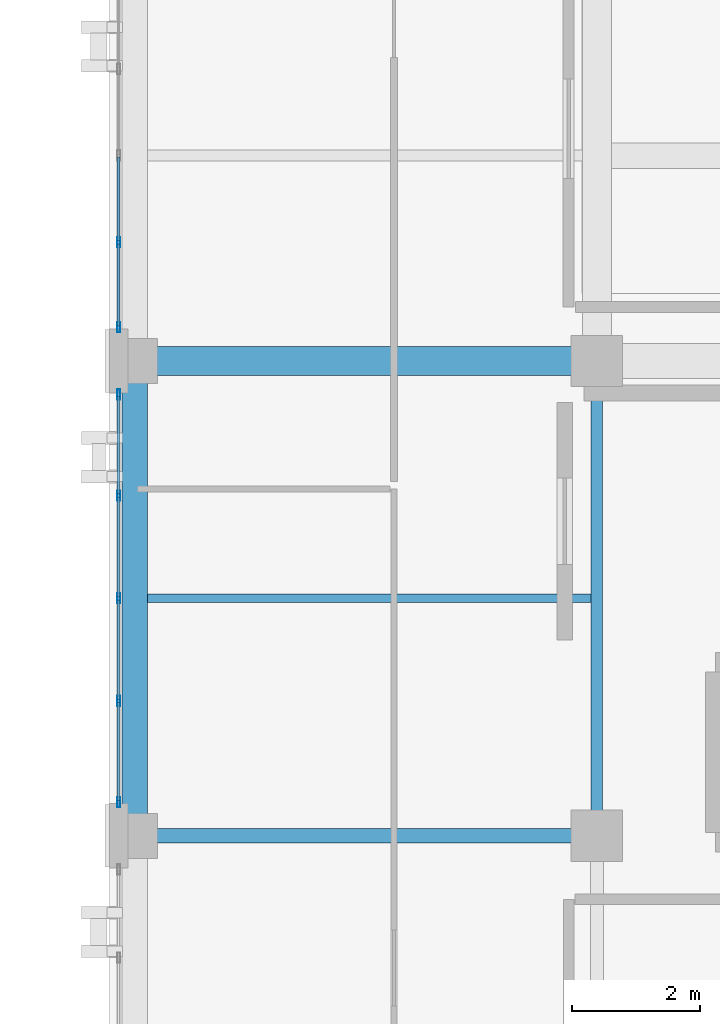
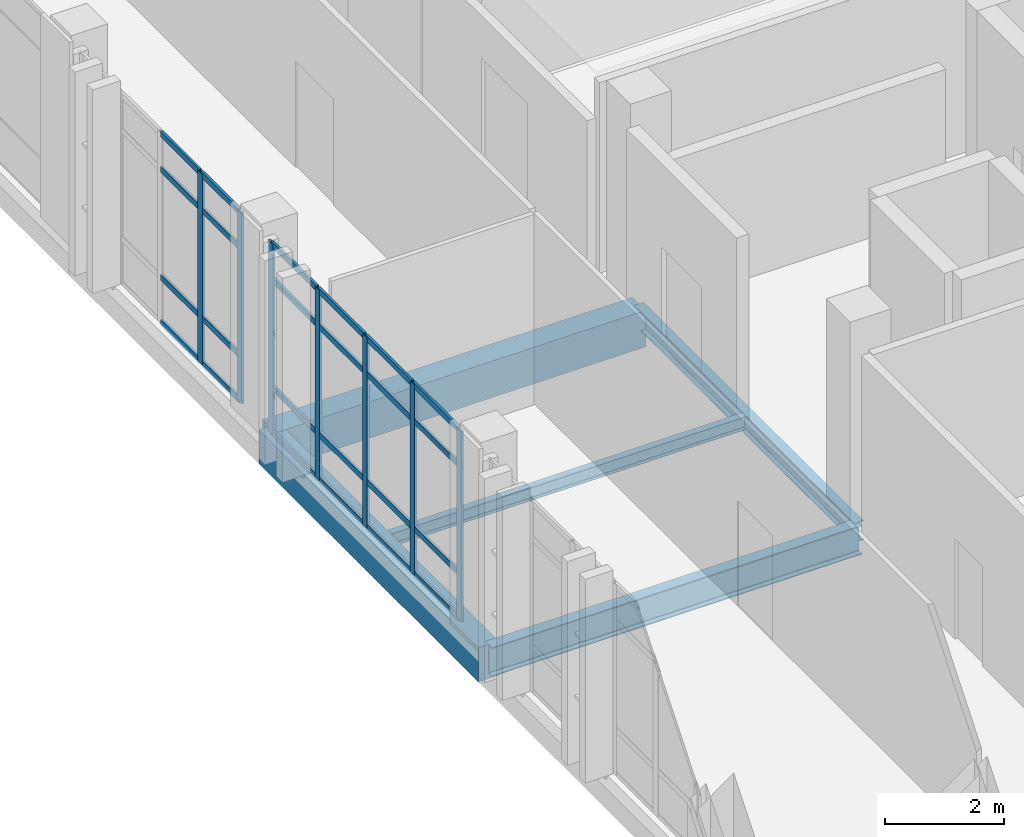
# One storey, part 98 of 165: 31 members, 5 beams, 2 elements without a shape of their own.
"""IFC4 building model written with IfcOpenShell, lengths in metres."""

import ifcopenshell
import ifcopenshell.guid

model = None  # the IFC model being written
_history = None  # IfcOwnerHistory: only IFC2X3 demands one
_inside = {}  # id of a spatial element -> (the spatial element, [elements in it])
_under = {}  # id of a project, library or spatial element -> (it, [spatial elements below it])
_declared = {}  # id of a project -> (the project, [libraries it declares])
_typed = {}  # id of a type object -> (the type object, [elements of that type])
_made_of = {}  # id of a material, layer set ... -> (it, [elements and type objects made of it])


def new_model(schema):
    """Start an empty IFC model of exactly this schema.

    Asked for "IFC4X3", IfcOpenShell would pick the latest addendum, in which some entities
    have other attributes; the version numbers below select the first issue.
    IFC2X3 requires an IfcOwnerHistory on every rooted entity: one is made here for all.
    """
    global model, _history
    if schema == "IFC4X3":
        model = ifcopenshell.file(schema_version=(4, 3, 0, 0))
    else:
        model = ifcopenshell.file(schema=schema)
    _inside.clear()
    _under.clear()
    _declared.clear()
    _typed.clear()
    _made_of.clear()
    _history = None
    if model.schema == "IFC2X3":
        org = make("IfcOrganization", Name="unknown")
        user = make(
            "IfcPersonAndOrganization",
            ThePerson=make("IfcPerson", FamilyName="unknown"),
            TheOrganization=org,
        )
        app = make(
            "IfcApplication",
            ApplicationDeveloper=org,
            Version="unknown",
            ApplicationFullName="unknown",
            ApplicationIdentifier="unknown",
        )
        _history = make(
            "IfcOwnerHistory",
            OwningUser=user,
            OwningApplication=app,
            ChangeAction="ADDED",
            CreationDate=0,
        )
    return model


def make(cls, **values):
    """One entity of the class cls with the attributes given. An attribute that is None is left unset."""
    return model.create_entity(
        cls, **{name: value for name, value in values.items() if value is not None}
    )


def rooted(cls, **values):
    """An entity with a GlobalId (a new one), such as an element, a storey or a relation."""
    return make(cls, GlobalId=ifcopenshell.guid.new(), OwnerHistory=_history, **values)


def si_unit(unit_type, name, prefix=None):
    """IfcSIUnit, for example si_unit("LENGTHUNIT", "METRE", prefix="MILLI")."""
    return make("IfcSIUnit", UnitType=unit_type, Prefix=prefix, Name=name)


def assignment(units):
    """IfcUnitAssignment: the units of a project."""
    return None if units is None else make("IfcUnitAssignment", Units=units)


def point(xyz):
    """IfcCartesianPoint."""
    return None if xyz is None else make("IfcCartesianPoint", Coordinates=xyz)


def direction(xyz):
    """IfcDirection."""
    return None if xyz is None else make("IfcDirection", DirectionRatios=xyz)


def frame(location, z_axis=None, x_axis=None):
    """IfcAxis2Placement3D, a coordinate frame: its origin and axes. An axis left out is left unset."""
    return make(
        "IfcAxis2Placement3D",
        Location=point(location),
        Axis=direction(z_axis),
        RefDirection=direction(x_axis),
    )


def frame_2d(location, x_axis=None):
    """IfcAxis2Placement2D, a coordinate frame in the plane: its origin and x axis."""
    return make(
        "IfcAxis2Placement2D", Location=point(location), RefDirection=direction(x_axis)
    )


def origin():
    """The frame at (0, 0, 0) with its axes left unset."""
    return frame((0.0, 0.0, 0.0))


def origin_2d():
    """The frame at (0, 0) in the plane with its x axis left unset."""
    return frame_2d((0.0, 0.0))


def place(relative_to, where):
    """IfcLocalPlacement: puts the frame where relative to a parent placement (None: the world)."""
    return make(
        "IfcLocalPlacement", PlacementRelTo=relative_to, RelativePlacement=where
    )


def context(
    kind, dimensions, precision=None, world=None, true_north=None, identifier=None
):
    """IfcGeometricRepresentationContext, for example the 3D "Model" context."""
    return make(
        "IfcGeometricRepresentationContext",
        ContextIdentifier=identifier,
        ContextType=kind,
        CoordinateSpaceDimension=dimensions,
        Precision=precision,
        WorldCoordinateSystem=world,
        TrueNorth=true_north,
    )


def subcontext(parent, identifier, kind, view, scale=None):
    """IfcGeometricRepresentationSubContext, for example "Body" below "Model"."""
    return make(
        "IfcGeometricRepresentationSubContext",
        ContextIdentifier=identifier,
        ContextType=kind,
        ParentContext=parent,
        TargetScale=scale,
        TargetView=view,
    )


def project(units=None, contexts=None):
    """IfcProject with its units and contexts."""
    return rooted(
        "IfcProject",
        Name="project",
        RepresentationContexts=contexts,
        UnitsInContext=assignment(units),
    )


def spatial(cls, under=None, at=None, **own):
    """A site, building, storey or space (cls), placed at a placement, below another one or the project."""
    s = rooted(cls, ObjectPlacement=at, **own)
    if under is not None:
        _under.setdefault(under.id(), (under, []))[1].append(s)
    return s


def profile(cls, at=None, kind="AREA", **sizes):
    """A parametric profile (cls). Its sizes go by their IFC names, for example OverallWidth=200.0."""
    return make(cls, ProfileType=kind, Position=at, **sizes)


def rectangle(**sizes):
    """IfcRectangleProfileDef."""
    return profile("IfcRectangleProfileDef", **sizes)


def hollow_rectangle(**sizes):
    """IfcRectangleHollowProfileDef."""
    return profile("IfcRectangleHollowProfileDef", **sizes)


def i_section(**sizes):
    """IfcIShapeProfileDef."""
    return profile("IfcIShapeProfileDef", **sizes)


def extrude(swept, where, along, depth):
    """IfcExtrudedAreaSolid: the profile swept, set in the frame where, extruded along a direction by depth."""
    return make(
        "IfcExtrudedAreaSolid",
        SweptArea=swept,
        Position=where,
        ExtrudedDirection=direction(along),
        Depth=depth,
    )


def shape(context_of_items, identifier, shape_type, items):
    """IfcShapeRepresentation: the items that make up one representation, for example the "Body"."""
    return make(
        "IfcShapeRepresentation",
        ContextOfItems=context_of_items,
        RepresentationIdentifier=identifier,
        RepresentationType=shape_type,
        Items=items,
    )


def material(Name=None, Category=None):
    """IfcMaterial."""
    return make("IfcMaterial", Name=Name, Category=Category)


def layer(
    of_material, thickness, ventilated=None, Name=None, Category=None, Priority=None
):
    """IfcMaterialLayer: one layer of a wall or slab, of a material (None: an air gap)."""
    return make(
        "IfcMaterialLayer",
        Material=of_material,
        LayerThickness=thickness,
        IsVentilated=ventilated,
        Name=Name,
        Category=Category,
        Priority=Priority,
    )


def layer_set(layers, Name=None):
    """IfcMaterialLayerSet."""
    return make("IfcMaterialLayerSet", MaterialLayers=layers, LayerSetName=Name)


def material_profile(
    of_material, cross_section, Name=None, Category=None, Priority=None
):
    """IfcMaterialProfile: a cross section and its material."""
    return make(
        "IfcMaterialProfile",
        Name=Name,
        Material=of_material,
        Profile=cross_section,
        Priority=Priority,
        Category=Category,
    )


def profile_set(profiles, Name=None, composite=None):
    """IfcMaterialProfileSet."""
    return make(
        "IfcMaterialProfileSet",
        Name=Name,
        MaterialProfiles=profiles,
        CompositeProfile=composite,
    )


def made_of(thing, what):
    """Note that an element or type object is made of a material, layer set ...; save() writes the relation."""
    if what is not None:
        _made_of.setdefault(what.id(), (what, []))[1].append(thing)
    return thing


def type_object(cls, material=None, **own):
    """A type object (cls), such as IfcWallType, which elements share."""
    return made_of(rooted(cls, **own), material)


def element(
    cls,
    number,
    at=None,
    inside=None,
    cuts=None,
    type_object=None,
    material=None,
    context=None,
    identifier="Body",
    shape_type=None,
    held_by="IfcProductDefinitionShape",
    body=None,
    shapes=None,
    **own,
):
    """One element of the class cls, such as IfcWall. Its Tag is "e" and its number.

    at: its placement. inside: the storey or other place that contains it. cuts: it is an
    opening in that element (IfcRelVoidsElement). A single representation is given by context,
    identifier, shape_type and body (its items); several are given by shapes. held_by: the class
    of the entity that holds the representations. save() writes the other relations.
    """
    e = rooted(cls, Tag="e%d" % number, ObjectPlacement=at, **own)
    if body is not None:
        shapes = [shape(context, identifier, shape_type, body)]
    if shapes is not None:
        e.Representation = make(held_by, Representations=shapes)
    if inside is not None:
        _inside.setdefault(inside.id(), (inside, []))[1].append(e)
    if cuts is not None:
        rooted(
            "IfcRelVoidsElement", RelatingBuildingElement=cuts, RelatedOpeningElement=e
        )
    if type_object is not None:
        _typed.setdefault(type_object.id(), (type_object, []))[1].append(e)
    return made_of(e, material)


def aggregate(whole, parts):
    """IfcRelAggregates: a whole, such as a stair, and the parts it consists of."""
    return rooted("IfcRelAggregates", RelatingObject=whole, RelatedObjects=parts)


def save(model, path):
    """Write the relations noted so far, then the file.

    IfcRelAggregates (storeys below a building ...), IfcRelContainedInSpatialStructure (elements
    in a storey), IfcRelDefinesByType, IfcRelAssociatesMaterial and IfcRelDeclares: one each for
    every whole, place, type object, material and project.
    """
    for whole, parts in _under.values():
        aggregate(whole, parts)
    for where, things in _inside.values():
        rooted(
            "IfcRelContainedInSpatialStructure",
            RelatedElements=things,
            RelatingStructure=where,
        )
    for kind, things in _typed.values():
        rooted("IfcRelDefinesByType", RelatedObjects=things, RelatingType=kind)
    for what, things in _made_of.values():
        rooted("IfcRelAssociatesMaterial", RelatedObjects=things, RelatingMaterial=what)
    for by, libraries in _declared.values():
        rooted("IfcRelDeclares", RelatingContext=by, RelatedDefinitions=libraries)
    model.write(path)


model = new_model("IFC4")

# Units and contexts
model_context = context("Model", 3, precision=1e-05, world=origin(), true_north=direction((0.0, 1.0)))
body_context = subcontext(model_context, "Body", "Model", "MODEL_VIEW")
ifc_project = project(units=[si_unit("LENGTHUNIT", "METRE"), si_unit("AREAUNIT", "SQUARE_METRE"), si_unit("VOLUMEUNIT", "CUBIC_METRE"), si_unit("PLANEANGLEUNIT", "RADIAN"), si_unit("MASSUNIT", "GRAM", prefix="KILO")], contexts=[model_context])

# Site, building, storey
site_placement = place(None, origin())
site = spatial("IfcSite", under=ifc_project, at=site_placement, CompositionType="ELEMENT")
building_placement = place(site_placement, origin())
building = spatial("IfcBuilding", under=site, at=building_placement, Name="Qalavern Law Courts", CompositionType="ELEMENT")
storey_placement = place(building_placement, frame((0.0, 0.0, 14.39990234375)))
storey = spatial("IfcBuildingStorey", under=building, at=storey_placement, Name="L03", CompositionType="ELEMENT", Elevation=14.39990234375)

# Curtain wall, members
ifc_material_1 = material(Name="Anodised aluminium and insulated glazing", Category="aluminium")
ifc_layer = layer(ifc_material_1, 0.172119140625)
ifc_layer_set = layer_set([ifc_layer], Name="Anodised aluminium and insulated glazing")
curtain_wall_type = type_object("IfcCurtainWallType", Name="ENV-CW-COURT", PredefinedType="USERDEFINED", material=ifc_layer_set)
curtain_wall_1_placement = place(storey_placement, origin())
curtain_wall_1 = element("IfcCurtainWall", 1, at=curtain_wall_1_placement, inside=storey, type_object=curtain_wall_type, Name="V4 unitised curtain wall L03 west 2", ObjectType="UNITISED CURTAIN WALL", PredefinedType="USERDEFINED")
ifc_material_2 = material(Name="Anodised aluminium", Category="aluminium")
ifc_material_profile_1 = material_profile(ifc_material_2, hollow_rectangle(XDim=0.048095703125, YDim=0.159912109375, WallThickness=0.00390625, at=origin_2d()), Name="ALU MULLION 48x160")
ifc_profile_set_1 = profile_set([ifc_material_profile_1], Name="Anodised aluminium")
member_type_1 = type_object("IfcMemberType", Name="ENV-CWM-48x160", PredefinedType="MULLION", material=ifc_profile_set_1)
member_1_placement = place(storey_placement, frame((84.347412109375, 74.64990234375, 0.0), z_axis=(0.0, 0.0, 1.0), x_axis=(1.0, 0.0, 0.0)))
member_1 = element("IfcMember", 2, at=member_1_placement, type_object=member_type_1, Name="CW-03 mullion 4", PredefinedType="MULLION", context=body_context, shape_type="SweptSolid", body=[
    extrude(hollow_rectangle(XDim=0.048095703125, YDim=0.159912109375, WallThickness=0.00390625, at=origin_2d()), origin(), (0.0, 0.0, 1.0), 3.920166015625),
])
member_2_placement = place(storey_placement, frame((84.347412109375, 73.323974609375, 0.0), z_axis=(0.0, 0.0, 1.0), x_axis=(1.0, 0.0, 0.0)))
member_2 = element("IfcMember", 3, at=member_2_placement, type_object=member_type_1, Name="CW-03 mullion 5", PredefinedType="MULLION", context=body_context, shape_type="SweptSolid", body=[
    extrude(hollow_rectangle(XDim=0.048095703125, YDim=0.159912109375, WallThickness=0.00390625, at=origin_2d()), origin(), (0.0, 0.0, 1.0), 3.920166015625),
])

curtain_wall_2_placement = place(storey_placement, origin())
curtain_wall_2 = element("IfcCurtainWall", 4, at=curtain_wall_2_placement, inside=storey, type_object=curtain_wall_type, Name="V4 unitised curtain wall L03 west 3", ObjectType="UNITISED CURTAIN WALL", PredefinedType="USERDEFINED")
member_3_placement = place(storey_placement, frame((84.347412109375, 72.27587890625, 0.0), z_axis=(0.0, 0.0, 1.0), x_axis=(1.0, 0.0, 0.0)))
member_3 = element("IfcMember", 5, at=member_3_placement, type_object=member_type_1, Name="CW-03 mullion 1", PredefinedType="MULLION", context=body_context, shape_type="SweptSolid", body=[
    extrude(hollow_rectangle(XDim=0.048095703125, YDim=0.159912109375, WallThickness=0.00390625, at=origin_2d()), origin(), (0.0, 0.0, 1.0), 3.920166015625),
])
member_4_placement = place(storey_placement, frame((84.347412109375, 70.699951171875, 0.0), z_axis=(0.0, 0.0, 1.0), x_axis=(1.0, 0.0, 0.0)))
member_4 = element("IfcMember", 6, at=member_4_placement, type_object=member_type_1, Name="CW-03 mullion 2", PredefinedType="MULLION", context=body_context, shape_type="SweptSolid", body=[
    extrude(hollow_rectangle(XDim=0.048095703125, YDim=0.159912109375, WallThickness=0.00390625, at=origin_2d()), origin(), (0.0, 0.0, 1.0), 3.920166015625),
])
member_5_placement = place(storey_placement, frame((84.347412109375, 69.10009765625, 0.0), z_axis=(0.0, 0.0, 1.0), x_axis=(1.0, 0.0, 0.0)))
member_5 = element("IfcMember", 7, at=member_5_placement, type_object=member_type_1, Name="CW-03 mullion 3", PredefinedType="MULLION", context=body_context, shape_type="SweptSolid", body=[
    extrude(hollow_rectangle(XDim=0.048095703125, YDim=0.159912109375, WallThickness=0.00390625, at=origin_2d()), origin(), (0.0, 0.0, 1.0), 3.920166015625),
])
member_6_placement = place(storey_placement, frame((84.347412109375, 67.5, 0.0), z_axis=(0.0, 0.0, 1.0), x_axis=(1.0, 0.0, 0.0)))
member_6 = element("IfcMember", 8, at=member_6_placement, type_object=member_type_1, Name="CW-03 mullion 4", PredefinedType="MULLION", context=body_context, shape_type="SweptSolid", body=[
    extrude(hollow_rectangle(XDim=0.048095703125, YDim=0.159912109375, WallThickness=0.00390625, at=origin_2d()), origin(), (0.0, 0.0, 1.0), 3.920166015625),
])
member_7_placement = place(storey_placement, frame((84.347412109375, 65.924072265625, 0.0), z_axis=(0.0, 0.0, 1.0), x_axis=(1.0, 0.0, 0.0)))
member_7 = element("IfcMember", 9, at=member_7_placement, type_object=member_type_1, Name="CW-03 mullion 5", PredefinedType="MULLION", context=body_context, shape_type="SweptSolid", body=[
    extrude(hollow_rectangle(XDim=0.048095703125, YDim=0.159912109375, WallThickness=0.00390625, at=origin_2d()), origin(), (0.0, 0.0, 1.0), 3.920166015625),
])

# Member
ifc_material_profile_2 = material_profile(ifc_material_2, hollow_rectangle(XDim=0.048095703125, YDim=0.1201171875, WallThickness=0.00390625, at=origin_2d()), Name="ALU TRANSOM 48x120")
ifc_profile_set_2 = profile_set([ifc_material_profile_2], Name="Anodised aluminium")
member_type_2 = type_object("IfcMemberType", Name="ENV-CWT-48x120", PredefinedType="USERDEFINED", material=ifc_profile_set_2)
member_8_placement = place(storey_placement, frame((84.347412109375, 75.97607421875, 0.024169921875), z_axis=(0.0, -1.0, 0.0), x_axis=(1.0, 0.0, 0.0)))
member_8 = element("IfcMember", 10, at=member_8_placement, type_object=member_type_2, Name="CW-03 transom 3.1", ObjectType="TRANSOM", PredefinedType="USERDEFINED", context=body_context, shape_type="SweptSolid", body=[
    extrude(hollow_rectangle(XDim=0.048095703125, YDim=0.1201171875, WallThickness=0.00390625, at=origin_2d()), origin(), (0.0, 0.0, 1.0), 1.302001953125),
])

member_9_placement = place(storey_placement, frame((84.347412109375, 75.97607421875, 0.9501953125), z_axis=(0.0, -1.0, 0.0), x_axis=(1.0, 0.0, 0.0)))
member_9 = element("IfcMember", 11, at=member_9_placement, type_object=member_type_2, Name="CW-03 transom 3.2", ObjectType="TRANSOM", PredefinedType="USERDEFINED", context=body_context, shape_type="SweptSolid", body=[
    extrude(hollow_rectangle(XDim=0.048095703125, YDim=0.1201171875, WallThickness=0.00390625, at=origin_2d()), origin(), (0.0, 0.0, 1.0), 1.302001953125),
])

member_10_placement = place(storey_placement, frame((84.347412109375, 75.97607421875, 3.170166015625), z_axis=(0.0, -1.0, 0.0), x_axis=(1.0, 0.0, 0.0)))
member_10 = element("IfcMember", 12, at=member_10_placement, type_object=member_type_2, Name="CW-03 transom 3.3", ObjectType="TRANSOM", PredefinedType="USERDEFINED", context=body_context, shape_type="SweptSolid", body=[
    extrude(hollow_rectangle(XDim=0.048095703125, YDim=0.1201171875, WallThickness=0.00390625, at=origin_2d()), origin(), (0.0, 0.0, 1.0), 1.302001953125),
])

member_11_placement = place(storey_placement, frame((84.347412109375, 75.97607421875, 3.89599609375), z_axis=(0.0, -1.0, 0.0), x_axis=(1.0, 0.0, 0.0)))
member_11 = element("IfcMember", 13, at=member_11_placement, type_object=member_type_2, Name="CW-03 transom 3.4", ObjectType="TRANSOM", PredefinedType="USERDEFINED", context=body_context, shape_type="SweptSolid", body=[
    extrude(hollow_rectangle(XDim=0.048095703125, YDim=0.1201171875, WallThickness=0.00390625, at=origin_2d()), origin(), (0.0, 0.0, 1.0), 1.302001953125),
])

member_12_placement = place(storey_placement, frame((84.347412109375, 74.6259765625, 0.024169921875), z_axis=(0.0, -1.0, 0.0), x_axis=(1.0, 0.0, 0.0)))
member_12 = element("IfcMember", 14, at=member_12_placement, type_object=member_type_2, Name="CW-03 transom 4.1", ObjectType="TRANSOM", PredefinedType="USERDEFINED", context=body_context, shape_type="SweptSolid", body=[
    extrude(hollow_rectangle(XDim=0.048095703125, YDim=0.1201171875, WallThickness=0.00390625, at=origin_2d()), origin(), (0.0, 0.0, 1.0), 1.278076171875),
])

member_13_placement = place(storey_placement, frame((84.347412109375, 74.6259765625, 0.9501953125), z_axis=(0.0, -1.0, 0.0), x_axis=(1.0, 0.0, 0.0)))
member_13 = element("IfcMember", 15, at=member_13_placement, type_object=member_type_2, Name="CW-03 transom 4.2", ObjectType="TRANSOM", PredefinedType="USERDEFINED", context=body_context, shape_type="SweptSolid", body=[
    extrude(hollow_rectangle(XDim=0.048095703125, YDim=0.1201171875, WallThickness=0.00390625, at=origin_2d()), origin(), (0.0, 0.0, 1.0), 1.278076171875),
])

member_14_placement = place(storey_placement, frame((84.347412109375, 74.6259765625, 3.170166015625), z_axis=(0.0, -1.0, 0.0), x_axis=(1.0, 0.0, 0.0)))
member_14 = element("IfcMember", 16, at=member_14_placement, type_object=member_type_2, Name="CW-03 transom 4.3", ObjectType="TRANSOM", PredefinedType="USERDEFINED", context=body_context, shape_type="SweptSolid", body=[
    extrude(hollow_rectangle(XDim=0.048095703125, YDim=0.1201171875, WallThickness=0.00390625, at=origin_2d()), origin(), (0.0, 0.0, 1.0), 1.278076171875),
])

member_15_placement = place(storey_placement, frame((84.347412109375, 74.6259765625, 3.89599609375), z_axis=(0.0, -1.0, 0.0), x_axis=(1.0, 0.0, 0.0)))
member_15 = element("IfcMember", 17, at=member_15_placement, type_object=member_type_2, Name="CW-03 transom 4.4", ObjectType="TRANSOM", PredefinedType="USERDEFINED", context=body_context, shape_type="SweptSolid", body=[
    extrude(hollow_rectangle(XDim=0.048095703125, YDim=0.1201171875, WallThickness=0.00390625, at=origin_2d()), origin(), (0.0, 0.0, 1.0), 1.278076171875),
])

aggregate(curtain_wall_1, [member_1, member_2, member_8, member_9, member_10, member_11, member_12, member_13, member_14, member_15])

member_16_placement = place(storey_placement, frame((84.347412109375, 72.251953125, 0.024169921875), z_axis=(0.0, -1.0, 0.0), x_axis=(1.0, 0.0, 0.0)))
member_16 = element("IfcMember", 18, at=member_16_placement, type_object=member_type_2, Name="CW-03 transom 1.1", ObjectType="TRANSOM", PredefinedType="USERDEFINED", context=body_context, shape_type="SweptSolid", body=[
    extrude(hollow_rectangle(XDim=0.048095703125, YDim=0.1201171875, WallThickness=0.00390625, at=origin_2d()), origin(), (0.0, 0.0, 1.0), 1.52783203125),
])

member_17_placement = place(storey_placement, frame((84.347412109375, 72.251953125, 0.9501953125), z_axis=(0.0, -1.0, 0.0), x_axis=(1.0, 0.0, 0.0)))
member_17 = element("IfcMember", 19, at=member_17_placement, type_object=member_type_2, Name="CW-03 transom 1.2", ObjectType="TRANSOM", PredefinedType="USERDEFINED", context=body_context, shape_type="SweptSolid", body=[
    extrude(hollow_rectangle(XDim=0.048095703125, YDim=0.1201171875, WallThickness=0.00390625, at=origin_2d()), origin(), (0.0, 0.0, 1.0), 1.52783203125),
])

member_18_placement = place(storey_placement, frame((84.347412109375, 72.251953125, 3.170166015625), z_axis=(0.0, -1.0, 0.0), x_axis=(1.0, 0.0, 0.0)))
member_18 = element("IfcMember", 20, at=member_18_placement, type_object=member_type_2, Name="CW-03 transom 1.3", ObjectType="TRANSOM", PredefinedType="USERDEFINED", context=body_context, shape_type="SweptSolid", body=[
    extrude(hollow_rectangle(XDim=0.048095703125, YDim=0.1201171875, WallThickness=0.00390625, at=origin_2d()), origin(), (0.0, 0.0, 1.0), 1.52783203125),
])

member_19_placement = place(storey_placement, frame((84.347412109375, 72.251953125, 3.89599609375), z_axis=(0.0, -1.0, 0.0), x_axis=(1.0, 0.0, 0.0)))
member_19 = element("IfcMember", 21, at=member_19_placement, type_object=member_type_2, Name="CW-03 transom 1.4", ObjectType="TRANSOM", PredefinedType="USERDEFINED", context=body_context, shape_type="SweptSolid", body=[
    extrude(hollow_rectangle(XDim=0.048095703125, YDim=0.1201171875, WallThickness=0.00390625, at=origin_2d()), origin(), (0.0, 0.0, 1.0), 1.52783203125),
])

member_20_placement = place(storey_placement, frame((84.347412109375, 70.676025390625, 0.024169921875), z_axis=(0.0, -1.0, 0.0), x_axis=(1.0, 0.0, 0.0)))
member_20 = element("IfcMember", 22, at=member_20_placement, type_object=member_type_2, Name="CW-03 transom 2.1", ObjectType="TRANSOM", PredefinedType="USERDEFINED", context=body_context, shape_type="SweptSolid", body=[
    extrude(hollow_rectangle(XDim=0.048095703125, YDim=0.1201171875, WallThickness=0.00390625, at=origin_2d()), origin(), (0.0, 0.0, 1.0), 1.552001953125),
])

member_21_placement = place(storey_placement, frame((84.347412109375, 70.676025390625, 0.9501953125), z_axis=(0.0, -1.0, 0.0), x_axis=(1.0, 0.0, 0.0)))
member_21 = element("IfcMember", 23, at=member_21_placement, type_object=member_type_2, Name="CW-03 transom 2.2", ObjectType="TRANSOM", PredefinedType="USERDEFINED", context=body_context, shape_type="SweptSolid", body=[
    extrude(hollow_rectangle(XDim=0.048095703125, YDim=0.1201171875, WallThickness=0.00390625, at=origin_2d()), origin(), (0.0, 0.0, 1.0), 1.552001953125),
])

member_22_placement = place(storey_placement, frame((84.347412109375, 70.676025390625, 3.170166015625), z_axis=(0.0, -1.0, 0.0), x_axis=(1.0, 0.0, 0.0)))
member_22 = element("IfcMember", 24, at=member_22_placement, type_object=member_type_2, Name="CW-03 transom 2.3", ObjectType="TRANSOM", PredefinedType="USERDEFINED", context=body_context, shape_type="SweptSolid", body=[
    extrude(hollow_rectangle(XDim=0.048095703125, YDim=0.1201171875, WallThickness=0.00390625, at=origin_2d()), origin(), (0.0, 0.0, 1.0), 1.552001953125),
])

member_23_placement = place(storey_placement, frame((84.347412109375, 70.676025390625, 3.89599609375), z_axis=(0.0, -1.0, 0.0), x_axis=(1.0, 0.0, 0.0)))
member_23 = element("IfcMember", 25, at=member_23_placement, type_object=member_type_2, Name="CW-03 transom 2.4", ObjectType="TRANSOM", PredefinedType="USERDEFINED", context=body_context, shape_type="SweptSolid", body=[
    extrude(hollow_rectangle(XDim=0.048095703125, YDim=0.1201171875, WallThickness=0.00390625, at=origin_2d()), origin(), (0.0, 0.0, 1.0), 1.552001953125),
])

member_24_placement = place(storey_placement, frame((84.347412109375, 69.075927734375, 0.024169921875), z_axis=(0.0, -1.0, 0.0), x_axis=(1.0, 0.0, 0.0)))
member_24 = element("IfcMember", 26, at=member_24_placement, type_object=member_type_2, Name="CW-03 transom 3.1", ObjectType="TRANSOM", PredefinedType="USERDEFINED", context=body_context, shape_type="SweptSolid", body=[
    extrude(hollow_rectangle(XDim=0.048095703125, YDim=0.1201171875, WallThickness=0.00390625, at=origin_2d()), origin(), (0.0, 0.0, 1.0), 1.552001953125),
])

member_25_placement = place(storey_placement, frame((84.347412109375, 69.075927734375, 0.9501953125), z_axis=(0.0, -1.0, 0.0), x_axis=(1.0, 0.0, 0.0)))
member_25 = element("IfcMember", 27, at=member_25_placement, type_object=member_type_2, Name="CW-03 transom 3.2", ObjectType="TRANSOM", PredefinedType="USERDEFINED", context=body_context, shape_type="SweptSolid", body=[
    extrude(hollow_rectangle(XDim=0.048095703125, YDim=0.1201171875, WallThickness=0.00390625, at=origin_2d()), origin(), (0.0, 0.0, 1.0), 1.552001953125),
])

member_26_placement = place(storey_placement, frame((84.347412109375, 69.075927734375, 3.170166015625), z_axis=(0.0, -1.0, 0.0), x_axis=(1.0, 0.0, 0.0)))
member_26 = element("IfcMember", 28, at=member_26_placement, type_object=member_type_2, Name="CW-03 transom 3.3", ObjectType="TRANSOM", PredefinedType="USERDEFINED", context=body_context, shape_type="SweptSolid", body=[
    extrude(hollow_rectangle(XDim=0.048095703125, YDim=0.1201171875, WallThickness=0.00390625, at=origin_2d()), origin(), (0.0, 0.0, 1.0), 1.552001953125),
])

member_27_placement = place(storey_placement, frame((84.347412109375, 69.075927734375, 3.89599609375), z_axis=(0.0, -1.0, 0.0), x_axis=(1.0, 0.0, 0.0)))
member_27 = element("IfcMember", 29, at=member_27_placement, type_object=member_type_2, Name="CW-03 transom 3.4", ObjectType="TRANSOM", PredefinedType="USERDEFINED", context=body_context, shape_type="SweptSolid", body=[
    extrude(hollow_rectangle(XDim=0.048095703125, YDim=0.1201171875, WallThickness=0.00390625, at=origin_2d()), origin(), (0.0, 0.0, 1.0), 1.552001953125),
])

member_28_placement = place(storey_placement, frame((84.347412109375, 67.47607421875, 0.024169921875), z_axis=(0.0, -1.0, 0.0), x_axis=(1.0, 0.0, 0.0)))
member_28 = element("IfcMember", 30, at=member_28_placement, type_object=member_type_2, Name="CW-03 transom 4.1", ObjectType="TRANSOM", PredefinedType="USERDEFINED", context=body_context, shape_type="SweptSolid", body=[
    extrude(hollow_rectangle(XDim=0.048095703125, YDim=0.1201171875, WallThickness=0.00390625, at=origin_2d()), origin(), (0.0, 0.0, 1.0), 1.528076171875),
])

member_29_placement = place(storey_placement, frame((84.347412109375, 67.47607421875, 0.9501953125), z_axis=(0.0, -1.0, 0.0), x_axis=(1.0, 0.0, 0.0)))
member_29 = element("IfcMember", 31, at=member_29_placement, type_object=member_type_2, Name="CW-03 transom 4.2", ObjectType="TRANSOM", PredefinedType="USERDEFINED", context=body_context, shape_type="SweptSolid", body=[
    extrude(hollow_rectangle(XDim=0.048095703125, YDim=0.1201171875, WallThickness=0.00390625, at=origin_2d()), origin(), (0.0, 0.0, 1.0), 1.528076171875),
])

member_30_placement = place(storey_placement, frame((84.347412109375, 67.47607421875, 3.170166015625), z_axis=(0.0, -1.0, 0.0), x_axis=(1.0, 0.0, 0.0)))
member_30 = element("IfcMember", 32, at=member_30_placement, type_object=member_type_2, Name="CW-03 transom 4.3", ObjectType="TRANSOM", PredefinedType="USERDEFINED", context=body_context, shape_type="SweptSolid", body=[
    extrude(hollow_rectangle(XDim=0.048095703125, YDim=0.1201171875, WallThickness=0.00390625, at=origin_2d()), origin(), (0.0, 0.0, 1.0), 1.528076171875),
])

member_31_placement = place(storey_placement, frame((84.347412109375, 67.47607421875, 3.89599609375), z_axis=(0.0, -1.0, 0.0), x_axis=(1.0, 0.0, 0.0)))
member_31 = element("IfcMember", 33, at=member_31_placement, type_object=member_type_2, Name="CW-03 transom 4.4", ObjectType="TRANSOM", PredefinedType="USERDEFINED", context=body_context, shape_type="SweptSolid", body=[
    extrude(hollow_rectangle(XDim=0.048095703125, YDim=0.1201171875, WallThickness=0.00390625, at=origin_2d()), origin(), (0.0, 0.0, 1.0), 1.528076171875),
])

aggregate(curtain_wall_2, [member_3, member_4, member_5, member_6, member_7, member_16, member_17, member_18, member_19, member_20, member_21, member_22, member_23, member_24, member_25, member_26, member_27, member_28, member_29, member_30, member_31])

# Beams
ifc_material_3 = material(Name="Steel S355", Category="steel")
ifc_material_profile_3 = material_profile(ifc_material_3, i_section(OverallWidth=0.179931640625, OverallDepth=0.39990234375, WebThickness=0.008544921875, FlangeThickness=0.013427734375, FilletRadius=0.02099609375, at=origin_2d()), Name="IPE 400")
ifc_profile_set_3 = profile_set([ifc_material_profile_3], Name="Steel S355")
beam_type_1 = type_object("IfcBeamType", Name="STR-BM-IPE400", PredefinedType="BEAM", material=ifc_profile_set_3)
beam_1_placement = place(storey_placement, frame((91.800048828125, 65.39990234375, -0.48486328125), z_axis=(0.0, 1.0, 0.0), x_axis=(-1.0, 0.0, 0.0)))
element("IfcBeam", 34, at=beam_1_placement, inside=storey, type_object=beam_type_1, Name="V4 Y-beam 2-3 L03", PredefinedType="BEAM", context=body_context, shape_type="SweptSolid", body=[
    extrude(i_section(OverallWidth=0.179931640625, OverallDepth=0.39990234375, WebThickness=0.008544921875, FlangeThickness=0.013427734375, FilletRadius=0.02099609375, at=origin_2d()), origin(), (0.0, 0.0, 1.0), 7.400146484375),
])
ifc_material_profile_4 = material_profile(ifc_material_3, i_section(OverallWidth=0.219970703125, OverallDepth=0.60009765625, WebThickness=0.011962890625, FlangeThickness=0.01904296875, FilletRadius=0.02392578125, at=origin_2d()), Name="IPE 600")
ifc_profile_set_4 = profile_set([ifc_material_profile_4], Name="Steel S355")
beam_type_2 = type_object("IfcBeamType", Name="STR-BM-IPE600", PredefinedType="BEAM", material=ifc_profile_set_4)
beam_2_placement = place(storey_placement, frame((84.60009765625, 65.39990234375, -0.5849609375), z_axis=(1.0, 0.0, 0.0), x_axis=(0.0, 1.0, 0.0)))
element("IfcBeam", 35, at=beam_2_placement, inside=storey, type_object=beam_type_2, Name="V4 X-beam 4-1 L03", PredefinedType="BEAM", context=body_context, shape_type="SweptSolid", body=[
    extrude(i_section(OverallWidth=0.219970703125, OverallDepth=0.60009765625, WebThickness=0.011962890625, FlangeThickness=0.01904296875, FilletRadius=0.02392578125, at=origin_2d()), origin(), (0.0, 0.0, 1.0), 7.199951171875),
])
ifc_material_4 = material(Name="Concrete C40/50", Category="concrete")
ifc_material_profile_5 = material_profile(ifc_material_4, rectangle(XDim=0.449951171875, YDim=0.75, at=origin_2d()), Name="RC 450x750")
ifc_profile_set_5 = profile_set([ifc_material_profile_5], Name="Concrete C40/50")
beam_type_3 = type_object("IfcBeamType", Name="STR-BM-RC450x750", PredefinedType="BEAM", material=ifc_profile_set_5)
beam_3_placement = place(storey_placement, frame((84.60009765625, 72.800048828125, -0.659912109375), z_axis=(1.0, 0.0, 0.0), x_axis=(0.0, 1.0, 0.0)))
element("IfcBeam", 36, at=beam_3_placement, inside=storey, type_object=beam_type_3, Name="V4 X-beam 5-1 L03", PredefinedType="BEAM", context=body_context, shape_type="SweptSolid", body=[
    extrude(rectangle(XDim=0.449951171875, YDim=0.75, at=origin_2d()), origin(), (0.0, 0.0, 1.0), 7.199951171875),
])
ifc_material_profile_6 = material_profile(ifc_material_3, i_section(OverallWidth=0.135009765625, OverallDepth=0.27001953125, WebThickness=0.006591796875, FlangeThickness=0.01025390625, FilletRadius=0.014892578125, at=origin_2d()), Name="IPE 270")
ifc_profile_set_6 = profile_set([ifc_material_profile_6], Name="Steel S355")
beam_type_4 = type_object("IfcBeamType", Name="STR-JST-IPE270", PredefinedType="JOIST", material=ifc_profile_set_6)
beam_4_placement = place(storey_placement, frame((84.798095703125, 69.10009765625, -0.419921875), z_axis=(1.0, 0.0, 0.0), x_axis=(0.0, 1.0, 0.0)))
element("IfcBeam", 37, at=beam_4_placement, inside=storey, type_object=beam_type_4, Name="V4 secondary joist 1.4.1 L03", PredefinedType="JOIST", context=body_context, shape_type="SweptSolid", body=[
    extrude(i_section(OverallWidth=0.135009765625, OverallDepth=0.27001953125, WebThickness=0.006591796875, FlangeThickness=0.01025390625, FilletRadius=0.014892578125, at=origin_2d()), origin(), (0.0, 0.0, 1.0), 6.913818359375),
])
ifc_material_profile_7 = material_profile(ifc_material_4, rectangle(XDim=0.39990234375, YDim=0.699951171875, at=origin_2d()), Name="RC 400x700")
ifc_profile_set_7 = profile_set([ifc_material_profile_7], Name="Concrete C40/50")
beam_type_5 = type_object("IfcBeamType", Name="STR-SP-RC400x700", PredefinedType="SPANDREL", material=ifc_profile_set_7)
beam_5_placement = place(storey_placement, frame((84.60009765625, 65.39990234375, -0.635009765625), z_axis=(0.0, 1.0, 0.0), x_axis=(-1.0, 0.0, 0.0)))
element("IfcBeam", 38, at=beam_5_placement, inside=storey, type_object=beam_type_5, Name="V4 Y-beam 1-4 L03", PredefinedType="SPANDREL", context=body_context, shape_type="SweptSolid", body=[
    extrude(rectangle(XDim=0.39990234375, YDim=0.699951171875, at=origin_2d()), origin(), (0.0, 0.0, 1.0), 7.400146484375),
])

save(model, "model.ifc")
